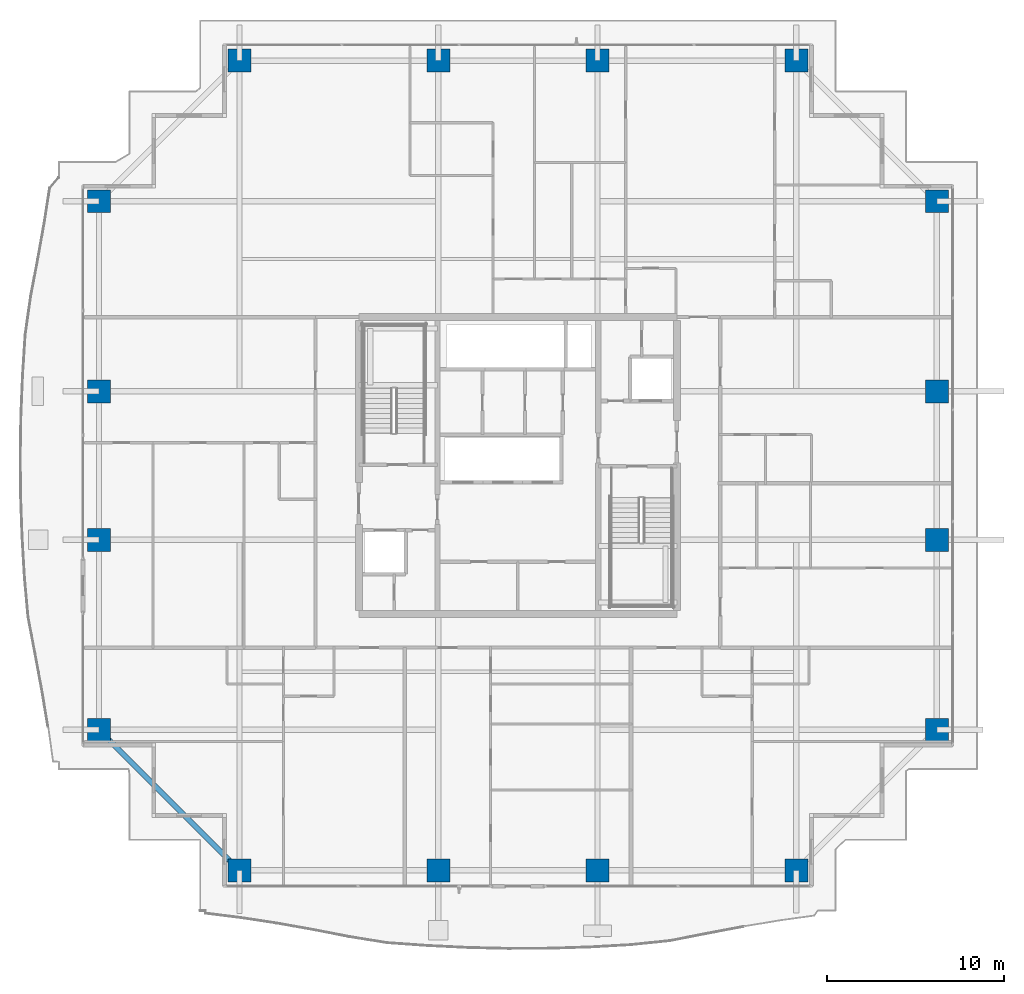
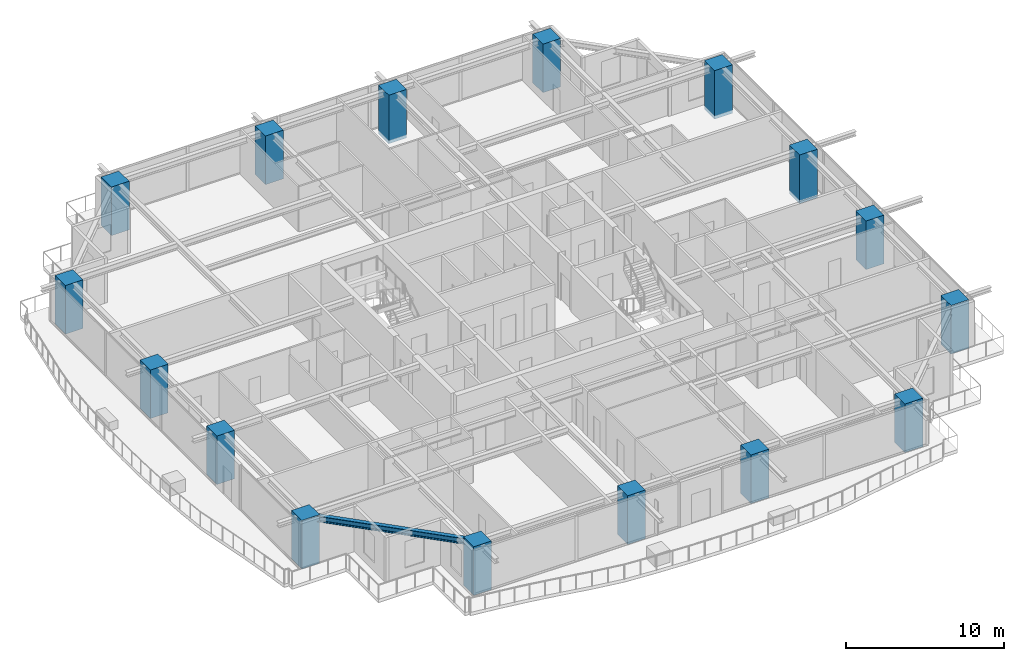
# One storey, part 1 of 35: 16 columns, 1 beam.
"""IFC4 building model written with IfcOpenShell, lengths in metres."""

from ifc_helpers import new_model, si_unit, direction, frame, origin, origin_2d, place, context, subcontext, project, spatial, rectangle, i_section, extrude, source, transform, mapped, material, material_profile, profile_set, type_object, element, save


model = new_model("IFC4")

# Units and contexts
model_context = context("Model", 3, precision=1e-05, world=origin(), true_north=direction((0.0, 1.0)))
body_context = subcontext(model_context, "Body", "Model", "MODEL_VIEW")
ifc_project = project(units=[si_unit("LENGTHUNIT", "METRE"), si_unit("AREAUNIT", "SQUARE_METRE"), si_unit("VOLUMEUNIT", "CUBIC_METRE"), si_unit("PLANEANGLEUNIT", "RADIAN"), si_unit("MASSUNIT", "GRAM", prefix="KILO")], contexts=[model_context])

# Site, building, storey
site_placement = place(None, origin())
site = spatial("IfcSite", under=ifc_project, at=site_placement, CompositionType="ELEMENT")
building_placement = place(site_placement, origin())
building = spatial("IfcBuilding", under=site, at=building_placement, Name="Serunith Strait Residences", CompositionType="ELEMENT")
storey_placement = place(building_placement, frame((0.0, 0.0, 157.64990234375)))
storey = spatial("IfcBuildingStorey", under=building, at=storey_placement, Name="L39", CompositionType="ELEMENT", Elevation=157.64990234375)

# Columns
ifc_material_1 = material(Name="Concrete C80/95", Category="concrete")
ifc_material_profile_1 = material_profile(ifc_material_1, rectangle(XDim=1.300048828125, YDim=1.300048828125, at=origin_2d()), Name="RC 1300x1300")
ifc_profile_set_1 = profile_set([ifc_material_profile_1], Name="Concrete C80/95")
column_type = type_object("IfcColumnType", Name="COL-RC-1300", PredefinedType="COLUMN", material=ifc_profile_set_1)
shared_shape_1 = source(origin(), body_context, "Body", "SweptSolid", [
    extrude(rectangle(XDim=1.300048828125, YDim=1.300048828125, at=origin_2d()), origin(), (0.0, 0.0, 1.0), 3.75),
])
for number, where, z_axis, x_axis, name in (
    (1, (16.64990234375, 2.300048828125, -0.260009765625), (0.0, 0.0, 1.0), (1.0, 0.0, 0.0), "L39 Tower Mega-Column TC-S1"),
    (2, (27.89990234375, 2.300048828125, -0.260009765625), (0.0, 0.0, 1.0), (1.0, 0.0, 0.0), "L39 Tower Mega-Column TC-S2"),
    (3, (36.89990234375, 2.300048828125, -0.260009765625), (0.0, 0.0, 1.0), (1.0, 0.0, 0.0), "L39 Tower Mega-Column TC-S3"),
    (4, (48.14990234375, 2.300048828125, -0.260009765625), (0.0, 0.0, 1.0), (1.0, 0.0, 0.0), "L39 Tower Mega-Column TC-S4"),
    (5, (16.64990234375, 48.10009765625, -0.260009765625), (0.0, 0.0, 1.0), (1.0, 0.0, 0.0), "L39 Tower Mega-Column TC-N1"),
    (6, (27.89990234375, 48.10009765625, -0.260009765625), (0.0, 0.0, 1.0), (1.0, 0.0, 0.0), "L39 Tower Mega-Column TC-N2"),
    (7, (36.89990234375, 48.10009765625, -0.260009765625), (0.0, 0.0, 1.0), (1.0, 0.0, 0.0), "L39 Tower Mega-Column TC-N3"),
    (8, (48.14990234375, 48.10009765625, -0.260009765625), (0.0, 0.0, 1.0), (1.0, 0.0, 0.0), "L39 Tower Mega-Column TC-N4"),
    (9, (56.10009765625, 10.25, -0.260009765625), (0.0, 0.0, 1.0), (1.0, 0.0, 0.0), "L39 Tower Mega-Column TC-E1"),
    (10, (56.10009765625, 21.0, -0.260009765625), (0.0, 0.0, 1.0), (1.0, 0.0, 0.0), "L39 Tower Mega-Column TC-E2"),
    (11, (56.10009765625, 29.39990234375, -0.260009765625), (0.0, 0.0, 1.0), (1.0, 0.0, 0.0), "L39 Tower Mega-Column TC-E3"),
    (12, (56.10009765625, 40.14990234375, -0.260009765625), (0.0, 0.0, 1.0), (1.0, 0.0, 0.0), "L39 Tower Mega-Column TC-E4"),
    (13, (8.699951171875, 10.25, -0.260009765625), (0.0, 0.0, 1.0), (1.0, 0.0, 0.0), "L39 Tower Mega-Column TC-W1"),
    (14, (8.699951171875, 21.0, -0.260009765625), (0.0, 0.0, 1.0), (1.0, 0.0, 0.0), "L39 Tower Mega-Column TC-W2"),
    (15, (8.699951171875, 29.39990234375, -0.260009765625), (0.0, 0.0, 1.0), (1.0, 0.0, 0.0), "L39 Tower Mega-Column TC-W3"),
    (16, (8.699951171875, 40.14990234375, -0.260009765625), (0.0, 0.0, 1.0), (1.0, 0.0, 0.0), "L39 Tower Mega-Column TC-W4"),
):
    element("IfcColumn", number, at=place(storey_placement, frame(where, z_axis=z_axis, x_axis=x_axis)), inside=storey, type_object=column_type, Name=name, PredefinedType="COLUMN", context=body_context, shape_type="MappedRepresentation", body=[
        mapped(shared_shape_1, transform((0.0, 0.0, 0.0), scale=1.0)),
    ])

# Beam
ifc_material_2 = material(Name="Steel S355J2", Category="steel")
ifc_material_profile_2 = material_profile(ifc_material_2, i_section(OverallWidth=0.300048828125, OverallDepth=0.449951171875, WebThickness=0.013916015625, FlangeThickness=0.02587890625, FilletRadius=0.027099609375, at=origin_2d()), Name="HEB 450")
ifc_profile_set_2 = profile_set([ifc_material_profile_2], Name="Steel S355J2")
beam_type = type_object("IfcBeamType", Name="BM-HEB450", PredefinedType="BEAM", material=ifc_profile_set_2)
shared_shape_2 = source(origin(), body_context, "Body", "SweptSolid", [
    extrude(i_section(OverallWidth=0.300048828125, OverallDepth=0.449951171875, WebThickness=0.013916015625, FlangeThickness=0.02587890625, FilletRadius=0.027099609375, at=origin_2d()), origin(), (0.0, 0.0, 1.0), 11.242919921875),
])
beam_placement = place(storey_placement, frame((8.699951171875, 10.25, 3.232177734375), z_axis=(0.707106781187, -0.707106781187, 0.0), x_axis=(0.707106781187, 0.707106781187, 0.0)))
element("IfcBeam", 17, at=beam_placement, inside=storey, type_object=beam_type, Name="L39 Perimeter Ring Beam 16", PredefinedType="BEAM", context=body_context, shape_type="MappedRepresentation", body=[
    mapped(shared_shape_2, transform((0.0, 0.0, 0.0), scale=1.0)),
])

save(model, "model.ifc")
